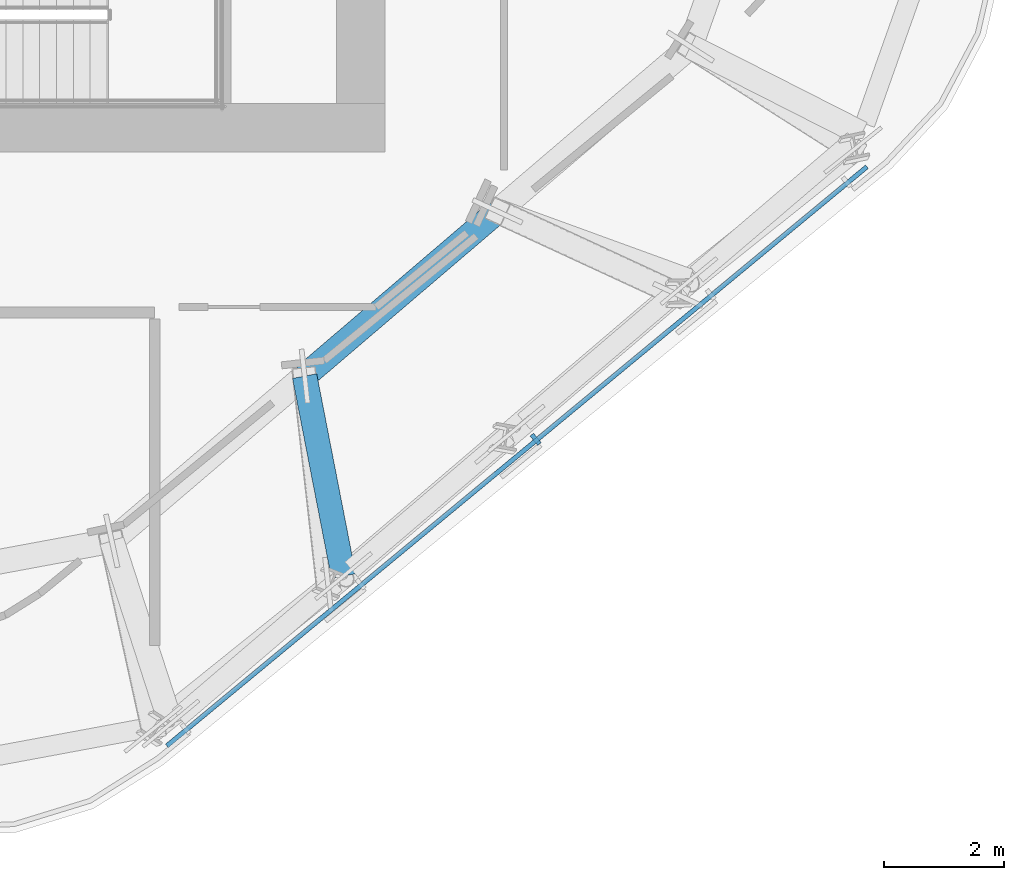
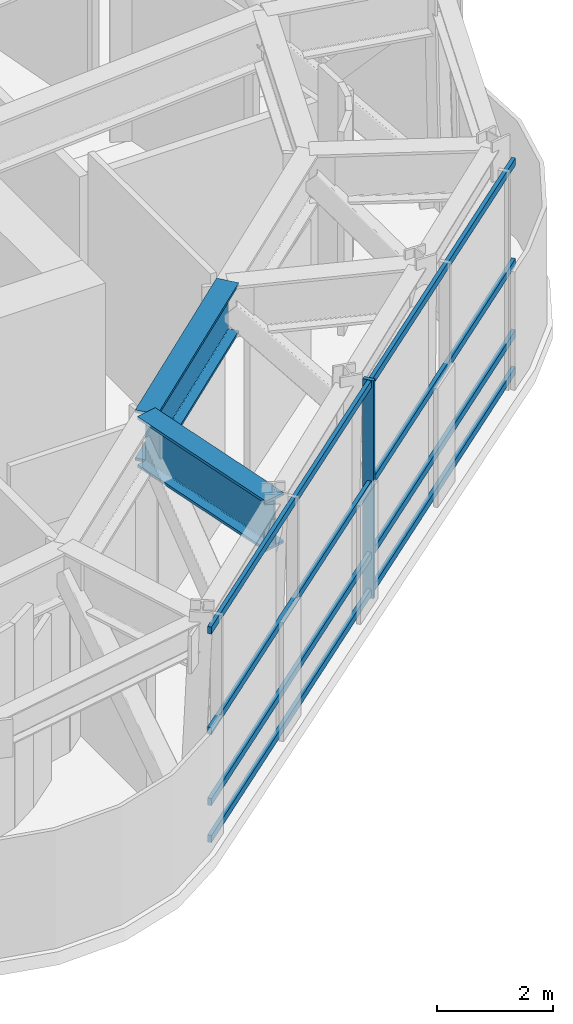
# One storey, part 3 of 16: 5 members, 2 beams, 1 element without a shape of its own.
"""IFC4 building model written with IfcOpenShell, lengths in metres."""

from ifc_helpers import new_model, si_unit, direction, frame, origin, origin_2d, place, context, subcontext, project, spatial, rectangle, i_section, extrude, material, layer, layer_set, material_profile, profile_set, type_object, element, aggregate, save


model = new_model("IFC4")

# Units and contexts
model_context = context("Model", 3, precision=1e-05, world=origin(), true_north=direction((0.0, 1.0)))
body_context = subcontext(model_context, "Body", "Model", "MODEL_VIEW")
ifc_project = project(units=[si_unit("LENGTHUNIT", "METRE"), si_unit("AREAUNIT", "SQUARE_METRE"), si_unit("VOLUMEUNIT", "CUBIC_METRE"), si_unit("PLANEANGLEUNIT", "RADIAN"), si_unit("MASSUNIT", "GRAM", prefix="KILO")], contexts=[model_context])

# Site, building, storey
site_placement = place(None, origin())
site = spatial("IfcSite", under=ifc_project, at=site_placement, CompositionType="ELEMENT")
building_placement = place(site_placement, origin())
building = spatial("IfcBuilding", under=site, at=building_placement, Name="Valkerne Bourse Tower", CompositionType="ELEMENT")
storey_placement = place(building_placement, frame((0.0, 0.0, 193.199951171875)))
storey = spatial("IfcBuildingStorey", under=building, at=storey_placement, Name="L49", CompositionType="ELEMENT", Elevation=193.199951171875)

# Beams
ifc_material_1 = material(Name="Steel ASTM A913 Grade 65", Category="steel")
ifc_material_profile_1 = material_profile(ifc_material_1, i_section(OverallWidth=0.408935546875, OverallDepth=1.06689453125, WebThickness=0.031005859375, FlangeThickness=0.055908203125, FilletRadius=0.030517578125, at=origin_2d()), Name="W40X397")
ifc_profile_set_1 = profile_set([ifc_material_profile_1], Name="Steel ASTM A913 Grade 65")
beam_type = type_object("IfcBeamType", Name="BM-W40X397", PredefinedType="BEAM", material=ifc_profile_set_1)
beam_1_placement = place(storey_placement, frame((55.715576171875, 10.754638671875, 4.066650390625), z_axis=(-0.191047383705, 0.981580815409, 0.0), x_axis=(-0.981580815409, -0.191047383705, 0.0)))
element("IfcBeam", 1, at=beam_1_placement, inside=storey, type_object=beam_type, Name="L49 Radial Setback Transfer Girder Out 17", PredefinedType="BEAM", context=body_context, shape_type="SweptSolid", body=[
    extrude(i_section(OverallWidth=0.408935546875, OverallDepth=1.06689453125, WebThickness=0.031005859375, FlangeThickness=0.055908203125, FilletRadius=0.030517578125, at=origin_2d()), origin(), (0.0, 0.0, 1.0), 3.382568359375),
])
beam_2_placement = place(storey_placement, frame((55.0693359375, 14.074951171875, 4.066650390625), z_axis=(0.760396935031, 0.649458621619, 0.0), x_axis=(-0.649458621619, 0.760396935031, 0.0)))
element("IfcBeam", 2, at=beam_2_placement, inside=storey, type_object=beam_type, Name="L49 Setback Ring Transfer Girder 17", PredefinedType="BEAM", context=body_context, shape_type="SweptSolid", body=[
    extrude(i_section(OverallWidth=0.408935546875, OverallDepth=1.06689453125, WebThickness=0.031005859375, FlangeThickness=0.055908203125, FilletRadius=0.030517578125, at=origin_2d()), origin(), (0.0, 0.0, 1.0), 4.212158203125),
])

# Curtain wall, members
ifc_material_2 = material(Name="Aluminium AA 6063-T6", Category="aluminium")
ifc_layer = layer(ifc_material_2, 0.25)
ifc_layer_set = layer_set([ifc_layer], Name="Aluminium AA 6063-T6")
curtain_wall_type = type_object("IfcCurtainWallType", Name="CW-06", PredefinedType="NOTDEFINED", material=ifc_layer_set)
curtain_wall_placement = place(storey_placement, origin())
curtain_wall = element("IfcCurtainWall", 3, at=curtain_wall_placement, inside=storey, type_object=curtain_wall_type, Name="L49 Hexagonal Stick Curtain Wall Face 5", PredefinedType="NOTDEFINED")
ifc_material_profile_2 = material_profile(ifc_material_2, rectangle(XDim=0.074951171875, YDim=0.199951171875, at=origin_2d()), Name="CWM-75X200")
ifc_profile_set_2 = profile_set([ifc_material_profile_2], Name="Aluminium AA 6063-T6")
member_type_1 = type_object("IfcMemberType", Name="CW-MUL-220X75", PredefinedType="MULLION", material=ifc_profile_set_2)
member_1_placement = place(storey_placement, frame((58.9052734375, 13.026123046875, 0.0), z_axis=(0.0, 0.0, 1.0), x_axis=(0.770516025568, 0.637420625915, 0.0)))
member_1 = element("IfcMember", 4, at=member_1_placement, type_object=member_type_1, Name="CW-L49-F5 Jamb Mullion 02A", PredefinedType="MULLION", context=body_context, shape_type="SweptSolid", body=[
    extrude(rectangle(XDim=0.074951171875, YDim=0.199951171875, at=origin_2d()), origin(), (0.0, 0.0, 1.0), 4.60009765625),
])
ifc_material_profile_3 = material_profile(ifc_material_2, rectangle(XDim=0.074951171875, YDim=0.14990234375, at=origin_2d()), Name="CWT-75X150")
ifc_profile_set_3 = profile_set([ifc_material_profile_3], Name="Aluminium AA 6063-T6")
member_type_2 = type_object("IfcMemberType", Name="CW-TRN-180X65", PredefinedType="USERDEFINED", material=ifc_profile_set_3)
member_2_placement = place(storey_placement, frame((52.783203125, 7.935546875, 0.1201171875), z_axis=(0.770507527051, 0.63743089881, 0.0), x_axis=(-0.63743089881, 0.770507527051, 0.0)))
member_2 = element("IfcMember", 5, at=member_2_placement, type_object=member_type_2, Name="CW-L49-F5 Continuous Face Transom 1", ObjectType="TRANSOM", PredefinedType="USERDEFINED", context=body_context, shape_type="SweptSolid", body=[
    extrude(rectangle(XDim=0.074951171875, YDim=0.14990234375, at=origin_2d()), origin(), (0.0, 0.0, 1.0), 15.083984375),
])
member_3_placement = place(storey_placement, frame((52.783203125, 7.935546875, 0.900146484375), z_axis=(0.770507527051, 0.63743089881, 0.0), x_axis=(-0.63743089881, 0.770507527051, 0.0)))
member_3 = element("IfcMember", 6, at=member_3_placement, type_object=member_type_2, Name="CW-L49-F5 Continuous Face Transom 2", ObjectType="TRANSOM", PredefinedType="USERDEFINED", context=body_context, shape_type="SweptSolid", body=[
    extrude(rectangle(XDim=0.074951171875, YDim=0.14990234375, at=origin_2d()), origin(), (0.0, 0.0, 1.0), 15.083984375),
])
member_4_placement = place(storey_placement, frame((52.783203125, 7.935546875, 2.400146484375), z_axis=(0.770507527051, 0.63743089881, 0.0), x_axis=(-0.63743089881, 0.770507527051, 0.0)))
member_4 = element("IfcMember", 7, at=member_4_placement, type_object=member_type_2, Name="CW-L49-F5 Continuous Face Transom 3", ObjectType="TRANSOM", PredefinedType="USERDEFINED", context=body_context, shape_type="SweptSolid", body=[
    extrude(rectangle(XDim=0.074951171875, YDim=0.14990234375, at=origin_2d()), origin(), (0.0, 0.0, 1.0), 15.083984375),
])
member_5_placement = place(storey_placement, frame((52.783203125, 7.935546875, 4.52001953125), z_axis=(0.770507527051, 0.63743089881, 0.0), x_axis=(-0.63743089881, 0.770507527051, 0.0)))
member_5 = element("IfcMember", 8, at=member_5_placement, type_object=member_type_2, Name="CW-L49-F5 Continuous Face Transom 4", ObjectType="TRANSOM", PredefinedType="USERDEFINED", context=body_context, shape_type="SweptSolid", body=[
    extrude(rectangle(XDim=0.074951171875, YDim=0.14990234375, at=origin_2d()), origin(), (0.0, 0.0, 1.0), 15.083984375),
])
aggregate(curtain_wall, [member_2, member_3, member_4, member_5, member_1])

save(model, "model.ifc")
